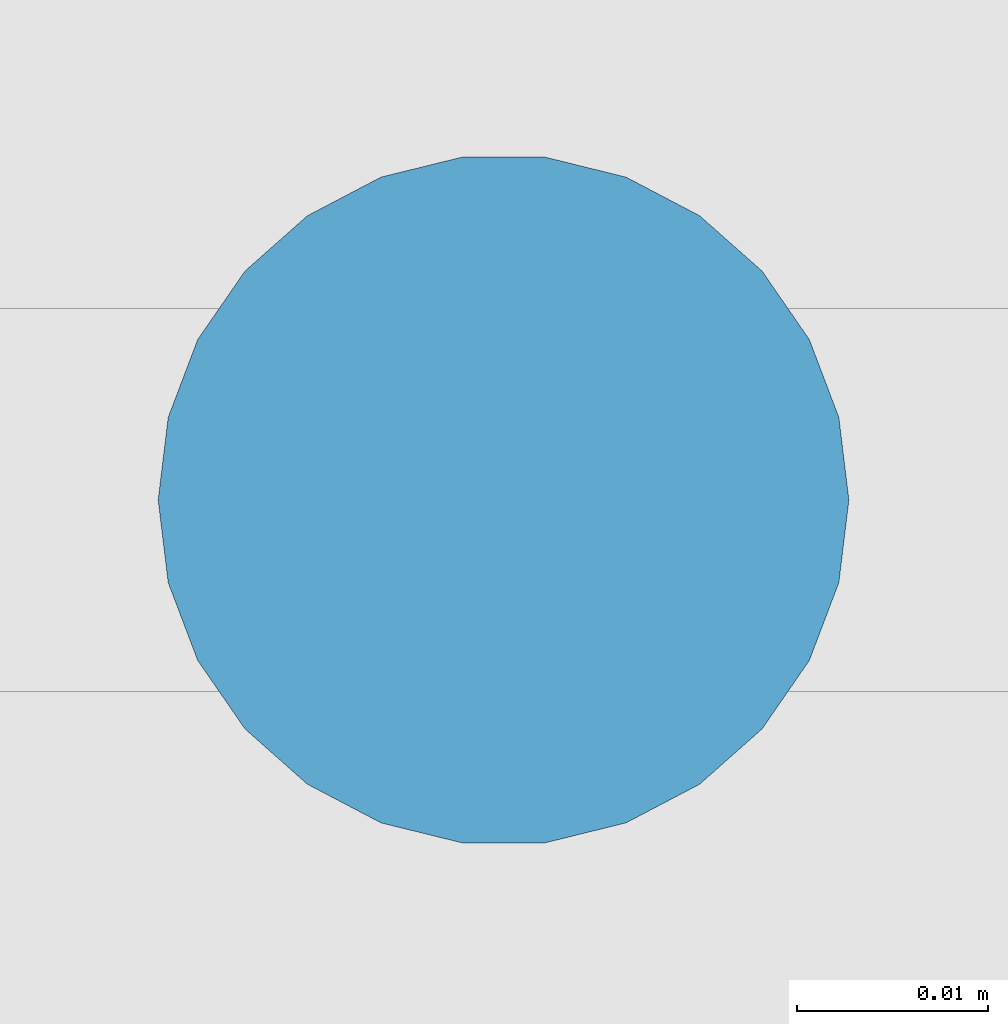
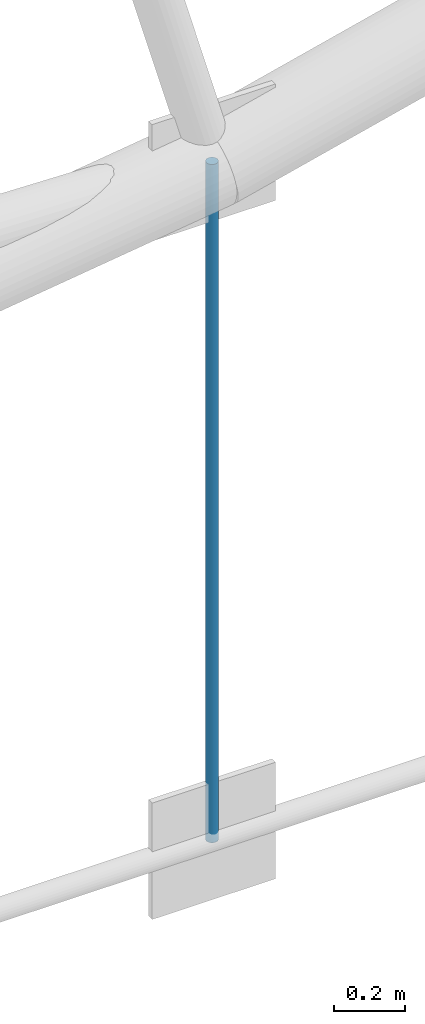
# One storey, part 151 of 321: 1 member.
"""IFC4 building model written with IfcOpenShell, lengths in metres."""

from ifc_helpers import new_model, si_unit, direction, frame, origin, origin_2d, place, context, subcontext, project, spatial, circle, extrude, material, material_profile, profile_set, type_object, element, save


model = new_model("IFC4")

# Units and contexts
model_context = context("Model", 3, precision=1e-05, world=origin(), true_north=direction((0.0, 1.0)))
body_context = subcontext(model_context, "Body", "Model", "MODEL_VIEW")
ifc_project = project(units=[si_unit("LENGTHUNIT", "METRE"), si_unit("AREAUNIT", "SQUARE_METRE"), si_unit("VOLUMEUNIT", "CUBIC_METRE"), si_unit("PLANEANGLEUNIT", "RADIAN"), si_unit("MASSUNIT", "GRAM", prefix="KILO")], contexts=[model_context])

# Site, building, storey
site_placement = place(None, origin())
site = spatial("IfcSite", under=ifc_project, at=site_placement, CompositionType="ELEMENT")
building_placement = place(site_placement, origin())
building = spatial("IfcBuilding", under=site, at=building_placement, Name="Ravi Spectrum Wholesale Market", CompositionType="ELEMENT")
storey_placement = place(building_placement, frame((0.0, 0.0, 10.800048828125)))
storey = spatial("IfcBuildingStorey", under=building, at=storey_placement, Name="L02", CompositionType="ELEMENT", Elevation=10.800048828125)

# Member
ifc_material = material(Name="Steel S355", Category="steel")
ifc_material_profile = material_profile(ifc_material, circle(Radius=0.01806640625, at=origin_2d()))
ifc_profile_set = profile_set([ifc_material_profile], Name="Steel S355")
member_type = type_object("IfcMemberType", Name="ROD 36 hanger", PredefinedType="STRUT", material=ifc_profile_set)
member_placement = place(storey_placement, frame((43.55029296875, 162.0, 0.023193359375), z_axis=(0.0, 0.0, 1.0), x_axis=(1.0, 0.0, 0.0)))
element("IfcMember", 1, at=member_placement, inside=storey, type_object=member_type, Name="H1-MB-L02-968", PredefinedType="STRUT", context=body_context, shape_type="SweptSolid", body=[
    extrude(circle(Radius=0.01806640625, at=origin_2d()), origin(), (0.0, 0.0, 1.0), 2.328857421875),
])

save(model, "model.ifc")
